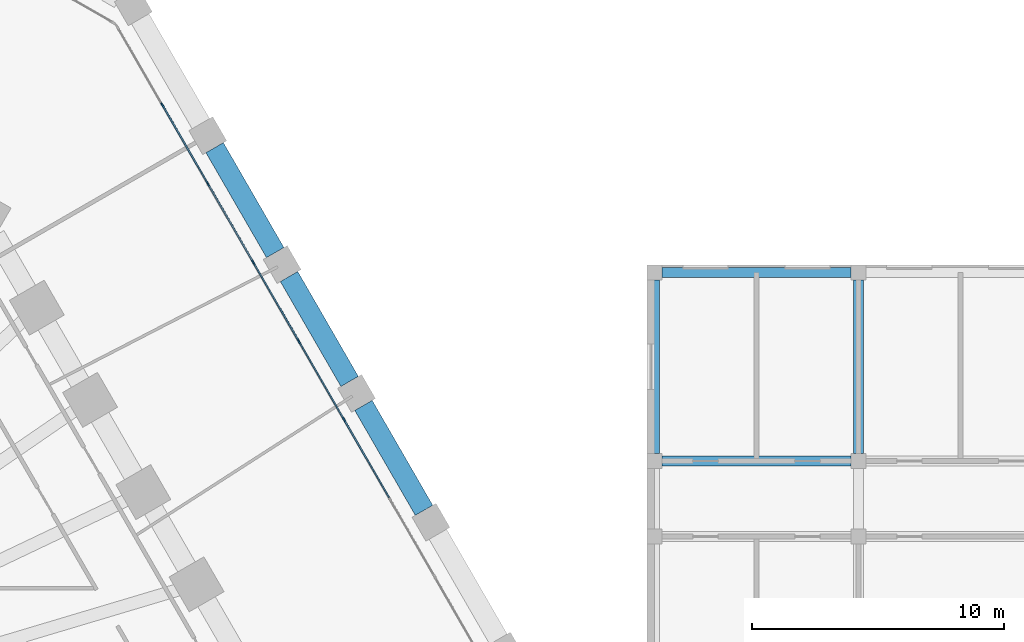
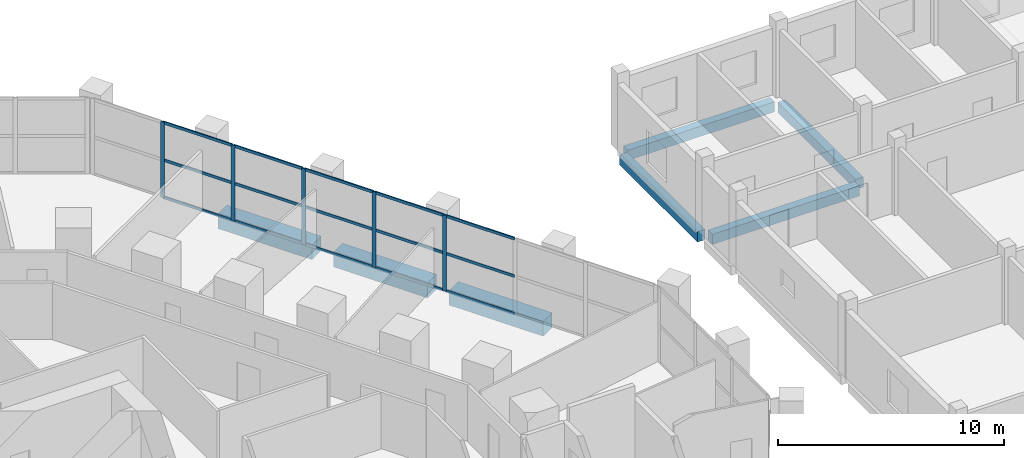
# One storey, part 12 of 38: 20 members, 7 beams, 1 element without a shape of its own.
"""IFC4 building model written with IfcOpenShell, lengths in metres."""

from ifc_helpers import new_model, si_unit, direction, frame, origin, origin_2d, place, context, subcontext, project, spatial, rectangle, extrude, material, material_profile, profile_set, type_object, element, aggregate, save


model = new_model("IFC4")

# Units and contexts
model_context = context("Model", 3, precision=1e-05, world=origin(), true_north=direction((0.0, 1.0)))
body_context = subcontext(model_context, "Body", "Model", "MODEL_VIEW")
ifc_project = project(units=[si_unit("LENGTHUNIT", "METRE"), si_unit("AREAUNIT", "SQUARE_METRE"), si_unit("VOLUMEUNIT", "CUBIC_METRE"), si_unit("PLANEANGLEUNIT", "RADIAN"), si_unit("MASSUNIT", "GRAM", prefix="KILO")], contexts=[model_context])

# Site, building, storey
site_placement = place(None, origin())
site = spatial("IfcSite", under=ifc_project, at=site_placement, CompositionType="ELEMENT")
building_placement = place(site_placement, origin())
building = spatial("IfcBuilding", under=site, at=building_placement, Name="Frailejon Research Tower", CompositionType="ELEMENT")
storey_placement = place(building_placement, frame((0.0, 0.0, 10.199951171875)))
storey = spatial("IfcBuildingStorey", under=building, at=storey_placement, Name="L02", CompositionType="ELEMENT", Elevation=10.199951171875)

# Beams
ifc_material_1 = material(Name="Concrete C60/75", Category="concrete")
ifc_material_profile_1 = material_profile(ifc_material_1, rectangle(XDim=0.800048828125, YDim=0.800048828125, at=origin_2d()), Name="Base ring beam")
ifc_profile_set_1 = profile_set([ifc_material_profile_1], Name="Concrete C60/75")
beam_type_1 = type_object("IfcBeamType", Name="Base ring beam", PredefinedType="BEAM", material=ifc_profile_set_1)
for number, where, z_axis, x_axis, name in (
    (1, (35.33740234375, 10.7939453125, -0.75), (-0.50000634465, 0.866021740668, 0.0), (-0.866021740668, -0.50000634465, 0.0), "Base ring beam"),
    (2, (32.38037109375, 15.91552734375, -0.75), (-0.50000634465, 0.866021740668, 0.0), (-0.866021740668, -0.50000634465, 0.0), "Base ring beam"),
    (3, (29.423583984375, 21.037109375, -0.75), (-0.50000634465, 0.866021740668, 0.0), (-0.866021740668, -0.50000634465, 0.0), "Base ring beam"),
):
    element("IfcBeam", number, at=place(storey_placement, frame(where, z_axis=z_axis, x_axis=x_axis)), inside=storey, type_object=beam_type_1, Name=name, PredefinedType="BEAM", context=body_context, shape_type="SweptSolid", body=[
        extrude(rectangle(XDim=0.800048828125, YDim=0.800048828125, at=origin_2d()), origin(), (0.0, 0.0, 1.0), 4.81396484375),
    ])
ifc_material_2 = material(Name="Concrete C35/45", Category="concrete")
ifc_material_profile_2 = material_profile(ifc_material_2, rectangle(XDim=0.39990234375, YDim=0.550048828125, at=origin_2d()), Name="HC floor beam 400x550")
ifc_profile_set_2 = profile_set([ifc_material_profile_2], Name="Concrete C35/45")
beam_type_2 = type_object("IfcBeamType", Name="HC floor beam 400x550", PredefinedType="BEAM", material=ifc_profile_set_2)
for number, where, z_axis, x_axis, name in (
    (4, (44.800048828125, 12.75, -0.52490234375), (1.0, 0.0, 0.0), (0.0, 1.0, 0.0), "HC floor beam"),
    (5, (44.800048828125, 20.25, -0.52490234375), (1.0, 0.0, 0.0), (0.0, 1.0, 0.0), "HC floor beam"),
):
    element("IfcBeam", number, at=place(storey_placement, frame(where, z_axis=z_axis, x_axis=x_axis)), inside=storey, type_object=beam_type_2, Name=name, PredefinedType="BEAM", context=body_context, shape_type="SweptSolid", body=[
        extrude(rectangle(XDim=0.39990234375, YDim=0.550048828125, at=origin_2d()), origin(), (0.0, 0.0, 1.0), 7.5),
    ])
for number, where, z_axis, x_axis, name in (
    (6, (44.5, 13.050048828125, -0.52490234375), (0.0, 1.0, 0.0), (-1.0, 0.0, 0.0), "HC floor beam"),
    (7, (52.60009765625, 13.050048828125, -0.52490234375), (0.0, 1.0, 0.0), (-1.0, 0.0, 0.0), "HC floor beam"),
):
    element("IfcBeam", number, at=place(storey_placement, frame(where, z_axis=z_axis, x_axis=x_axis)), inside=storey, type_object=beam_type_2, Name=name, PredefinedType="BEAM", context=body_context, shape_type="SweptSolid", body=[
        extrude(rectangle(XDim=0.39990234375, YDim=0.550048828125, at=origin_2d()), origin(), (0.0, 0.0, 1.0), 6.89990234375),
    ])

# Curtain wall, members
ifc_material_3 = material(Name="Aluminium curtain wall", Category="aluminium")
curtain_wall_type = type_object("IfcCurtainWallType", Name="Podium stick curtain wall system", PredefinedType="NOTDEFINED", material=ifc_material_3)
curtain_wall_placement = place(storey_placement, origin())
curtain_wall = element("IfcCurtainWall", 8, at=curtain_wall_placement, inside=storey, type_object=curtain_wall_type, Name="Curtain wall L02", PredefinedType="NOTDEFINED")
ifc_material_4 = material(Name="Aluminium extrusion", Category="aluminium")
ifc_material_profile_3 = material_profile(ifc_material_4, rectangle(XDim=0.06005859375, YDim=0.199951171875, at=origin_2d()), Name="Podium stick curtain wall mullion 60x200")
ifc_profile_set_3 = profile_set([ifc_material_profile_3], Name="Aluminium extrusion")
member_type_1 = type_object("IfcMemberType", Name="Podium stick curtain wall mullion 60x200", PredefinedType="MULLION", material=ifc_profile_set_3)
member_1_placement = place(storey_placement, frame((32.157958984375, 14.40087890625, 0.0), z_axis=(0.0, 0.0, 1.0), x_axis=(-0.86602632934, -0.499998396888, 0.0)))
member_1 = element("IfcMember", 9, at=member_1_placement, type_object=member_type_1, Name="CW2-034 mullion 4", PredefinedType="MULLION", context=body_context, shape_type="SweptSolid", body=[
    extrude(rectangle(XDim=0.06005859375, YDim=0.199951171875, at=origin_2d()), origin(), (0.0, 0.0, 1.0), 4.10009765625),
])
member_2_placement = place(storey_placement, frame((30.354248046875, 17.52490234375, 0.0), z_axis=(0.0, 0.0, 1.0), x_axis=(-0.86602632934, -0.499998396888, 0.0)))
member_2 = element("IfcMember", 10, at=member_2_placement, type_object=member_type_1, Name="CW2-034 mullion 5", PredefinedType="MULLION", context=body_context, shape_type="SweptSolid", body=[
    extrude(rectangle(XDim=0.06005859375, YDim=0.199951171875, at=origin_2d()), origin(), (0.0, 0.0, 1.0), 4.10009765625),
])
member_3_placement = place(storey_placement, frame((28.550537109375, 20.649169921875, 0.0), z_axis=(0.0, 0.0, 1.0), x_axis=(-0.86602632934, -0.499998396888, 0.0)))
member_3 = element("IfcMember", 11, at=member_3_placement, type_object=member_type_1, Name="CW2-034 mullion 6", PredefinedType="MULLION", context=body_context, shape_type="SweptSolid", body=[
    extrude(rectangle(XDim=0.06005859375, YDim=0.199951171875, at=origin_2d()), origin(), (0.0, 0.0, 1.0), 4.10009765625),
])
member_4_placement = place(storey_placement, frame((26.74658203125, 23.7734375, 0.0), z_axis=(0.0, 0.0, 1.0), x_axis=(-0.86602632934, -0.499998396888, 0.0)))
member_4 = element("IfcMember", 12, at=member_4_placement, type_object=member_type_1, Name="CW2-034 mullion 7", PredefinedType="MULLION", context=body_context, shape_type="SweptSolid", body=[
    extrude(rectangle(XDim=0.06005859375, YDim=0.199951171875, at=origin_2d()), origin(), (0.0, 0.0, 1.0), 4.10009765625),
])
member_5_placement = place(storey_placement, frame((24.94287109375, 26.897705078125, 0.0), z_axis=(0.0, 0.0, 1.0), x_axis=(-0.86602632934, -0.499998396888, 0.0)))
member_5 = element("IfcMember", 13, at=member_5_placement, type_object=member_type_1, Name="CW2-034 mullion 8", PredefinedType="MULLION", context=body_context, shape_type="SweptSolid", body=[
    extrude(rectangle(XDim=0.06005859375, YDim=0.199951171875, at=origin_2d()), origin(), (0.0, 0.0, 1.0), 4.10009765625),
])
ifc_material_5 = material(Name="Aluminium extrusion", Category="aluminium")
ifc_material_profile_4 = material_profile(ifc_material_5, rectangle(XDim=0.06005859375, YDim=0.14990234375, at=origin_2d()), Name="Podium stick curtain wall transom 60x150")
ifc_profile_set_4 = profile_set([ifc_material_profile_4], Name="Aluminium extrusion")
member_type_2 = type_object("IfcMemberType", Name="Podium stick curtain wall transom 60x150", PredefinedType="USERDEFINED", material=ifc_profile_set_4)
member_6_placement = place(storey_placement, frame((33.94677734375, 11.302490234375, 0.030029296875), z_axis=(-0.500032217487, 0.86600680221, 0.0), x_axis=(-0.86600680221, -0.500032217487, 0.0)))
member_6 = element("IfcMember", 14, at=member_6_placement, type_object=member_type_2, Name="CW2-034 transom 3.1", ObjectType="TRANSOM", PredefinedType="USERDEFINED", context=body_context, shape_type="SweptSolid", body=[
    extrude(rectangle(XDim=0.06005859375, YDim=0.14990234375, at=origin_2d()), origin(), (0.0, 0.0, 1.0), 3.547607421875),
])
member_7_placement = place(storey_placement, frame((33.94677734375, 11.302490234375, 2.050048828125), z_axis=(-0.500032217487, 0.86600680221, 0.0), x_axis=(-0.86600680221, -0.500032217487, 0.0)))
member_7 = element("IfcMember", 15, at=member_7_placement, type_object=member_type_2, Name="CW2-034 transom 3.2", ObjectType="TRANSOM", PredefinedType="USERDEFINED", context=body_context, shape_type="SweptSolid", body=[
    extrude(rectangle(XDim=0.06005859375, YDim=0.14990234375, at=origin_2d()), origin(), (0.0, 0.0, 1.0), 3.547607421875),
])
member_8_placement = place(storey_placement, frame((33.94677734375, 11.302490234375, 4.070068359375), z_axis=(-0.500032217487, 0.86600680221, 0.0), x_axis=(-0.86600680221, -0.500032217487, 0.0)))
member_8 = element("IfcMember", 16, at=member_8_placement, type_object=member_type_2, Name="CW2-034 transom 3.3", ObjectType="TRANSOM", PredefinedType="USERDEFINED", context=body_context, shape_type="SweptSolid", body=[
    extrude(rectangle(XDim=0.06005859375, YDim=0.14990234375, at=origin_2d()), origin(), (0.0, 0.0, 1.0), 3.547607421875),
])
member_9_placement = place(storey_placement, frame((32.14306640625, 14.4267578125, 0.030029296875), z_axis=(-0.500032217487, 0.86600680221, 0.0), x_axis=(-0.86600680221, -0.500032217487, 0.0)))
member_9 = element("IfcMember", 17, at=member_9_placement, type_object=member_type_2, Name="CW2-034 transom 4.1", ObjectType="TRANSOM", PredefinedType="USERDEFINED", context=body_context, shape_type="SweptSolid", body=[
    extrude(rectangle(XDim=0.06005859375, YDim=0.14990234375, at=origin_2d()), origin(), (0.0, 0.0, 1.0), 3.547607421875),
])
member_10_placement = place(storey_placement, frame((32.14306640625, 14.4267578125, 2.050048828125), z_axis=(-0.500032217487, 0.86600680221, 0.0), x_axis=(-0.86600680221, -0.500032217487, 0.0)))
member_10 = element("IfcMember", 18, at=member_10_placement, type_object=member_type_2, Name="CW2-034 transom 4.2", ObjectType="TRANSOM", PredefinedType="USERDEFINED", context=body_context, shape_type="SweptSolid", body=[
    extrude(rectangle(XDim=0.06005859375, YDim=0.14990234375, at=origin_2d()), origin(), (0.0, 0.0, 1.0), 3.547607421875),
])
member_11_placement = place(storey_placement, frame((32.14306640625, 14.4267578125, 4.070068359375), z_axis=(-0.500032217487, 0.86600680221, 0.0), x_axis=(-0.86600680221, -0.500032217487, 0.0)))
member_11 = element("IfcMember", 19, at=member_11_placement, type_object=member_type_2, Name="CW2-034 transom 4.3", ObjectType="TRANSOM", PredefinedType="USERDEFINED", context=body_context, shape_type="SweptSolid", body=[
    extrude(rectangle(XDim=0.06005859375, YDim=0.14990234375, at=origin_2d()), origin(), (0.0, 0.0, 1.0), 3.547607421875),
])
member_12_placement = place(storey_placement, frame((30.339111328125, 17.551025390625, 0.030029296875), z_axis=(-0.499980603476, 0.866036602083, 0.0), x_axis=(-0.866036602083, -0.499980603476, 0.0)))
member_12 = element("IfcMember", 20, at=member_12_placement, type_object=member_type_2, Name="CW2-034 transom 5.1", ObjectType="TRANSOM", PredefinedType="USERDEFINED", context=body_context, shape_type="SweptSolid", body=[
    extrude(rectangle(XDim=0.06005859375, YDim=0.14990234375, at=origin_2d()), origin(), (0.0, 0.0, 1.0), 3.547607421875),
])
member_13_placement = place(storey_placement, frame((30.339111328125, 17.551025390625, 2.050048828125), z_axis=(-0.499980603476, 0.866036602083, 0.0), x_axis=(-0.866036602083, -0.499980603476, 0.0)))
member_13 = element("IfcMember", 21, at=member_13_placement, type_object=member_type_2, Name="CW2-034 transom 5.2", ObjectType="TRANSOM", PredefinedType="USERDEFINED", context=body_context, shape_type="SweptSolid", body=[
    extrude(rectangle(XDim=0.06005859375, YDim=0.14990234375, at=origin_2d()), origin(), (0.0, 0.0, 1.0), 3.547607421875),
])
member_14_placement = place(storey_placement, frame((30.339111328125, 17.551025390625, 4.070068359375), z_axis=(-0.499980603476, 0.866036602083, 0.0), x_axis=(-0.866036602083, -0.499980603476, 0.0)))
member_14 = element("IfcMember", 22, at=member_14_placement, type_object=member_type_2, Name="CW2-034 transom 5.3", ObjectType="TRANSOM", PredefinedType="USERDEFINED", context=body_context, shape_type="SweptSolid", body=[
    extrude(rectangle(XDim=0.06005859375, YDim=0.14990234375, at=origin_2d()), origin(), (0.0, 0.0, 1.0), 3.547607421875),
])
member_15_placement = place(storey_placement, frame((28.535400390625, 20.67529296875, 0.030029296875), z_axis=(-0.500010404316, 0.866019396766, 0.0), x_axis=(-0.866019396766, -0.500010404316, 0.0)))
member_15 = element("IfcMember", 23, at=member_15_placement, type_object=member_type_2, Name="CW2-034 transom 6.1", ObjectType="TRANSOM", PredefinedType="USERDEFINED", context=body_context, shape_type="SweptSolid", body=[
    extrude(rectangle(XDim=0.06005859375, YDim=0.14990234375, at=origin_2d()), origin(), (0.0, 0.0, 1.0), 3.54736328125),
])
member_16_placement = place(storey_placement, frame((28.535400390625, 20.67529296875, 2.050048828125), z_axis=(-0.500010404316, 0.866019396766, 0.0), x_axis=(-0.866019396766, -0.500010404316, 0.0)))
member_16 = element("IfcMember", 24, at=member_16_placement, type_object=member_type_2, Name="CW2-034 transom 6.2", ObjectType="TRANSOM", PredefinedType="USERDEFINED", context=body_context, shape_type="SweptSolid", body=[
    extrude(rectangle(XDim=0.06005859375, YDim=0.14990234375, at=origin_2d()), origin(), (0.0, 0.0, 1.0), 3.54736328125),
])
member_17_placement = place(storey_placement, frame((28.535400390625, 20.67529296875, 4.070068359375), z_axis=(-0.500010404316, 0.866019396766, 0.0), x_axis=(-0.866019396766, -0.500010404316, 0.0)))
member_17 = element("IfcMember", 25, at=member_17_placement, type_object=member_type_2, Name="CW2-034 transom 6.3", ObjectType="TRANSOM", PredefinedType="USERDEFINED", context=body_context, shape_type="SweptSolid", body=[
    extrude(rectangle(XDim=0.06005859375, YDim=0.14990234375, at=origin_2d()), origin(), (0.0, 0.0, 1.0), 3.54736328125),
])
member_18_placement = place(storey_placement, frame((26.731689453125, 23.79931640625, 0.030029296875), z_axis=(-0.499980603476, 0.866036602083, 0.0), x_axis=(-0.866036602083, -0.499980603476, 0.0)))
member_18 = element("IfcMember", 26, at=member_18_placement, type_object=member_type_2, Name="CW2-034 transom 7.1", ObjectType="TRANSOM", PredefinedType="USERDEFINED", context=body_context, shape_type="SweptSolid", body=[
    extrude(rectangle(XDim=0.06005859375, YDim=0.14990234375, at=origin_2d()), origin(), (0.0, 0.0, 1.0), 3.547607421875),
])
member_19_placement = place(storey_placement, frame((26.731689453125, 23.79931640625, 2.050048828125), z_axis=(-0.499980603476, 0.866036602083, 0.0), x_axis=(-0.866036602083, -0.499980603476, 0.0)))
member_19 = element("IfcMember", 27, at=member_19_placement, type_object=member_type_2, Name="CW2-034 transom 7.2", ObjectType="TRANSOM", PredefinedType="USERDEFINED", context=body_context, shape_type="SweptSolid", body=[
    extrude(rectangle(XDim=0.06005859375, YDim=0.14990234375, at=origin_2d()), origin(), (0.0, 0.0, 1.0), 3.547607421875),
])
member_20_placement = place(storey_placement, frame((26.731689453125, 23.79931640625, 4.070068359375), z_axis=(-0.499980603476, 0.866036602083, 0.0), x_axis=(-0.866036602083, -0.499980603476, 0.0)))
member_20 = element("IfcMember", 28, at=member_20_placement, type_object=member_type_2, Name="CW2-034 transom 7.3", ObjectType="TRANSOM", PredefinedType="USERDEFINED", context=body_context, shape_type="SweptSolid", body=[
    extrude(rectangle(XDim=0.06005859375, YDim=0.14990234375, at=origin_2d()), origin(), (0.0, 0.0, 1.0), 3.547607421875),
])
aggregate(curtain_wall, [member_1, member_2, member_3, member_4, member_5, member_6, member_7, member_8, member_9, member_10, member_11, member_12, member_13, member_14, member_15, member_16, member_17, member_18, member_19, member_20])

save(model, "model.ifc")
